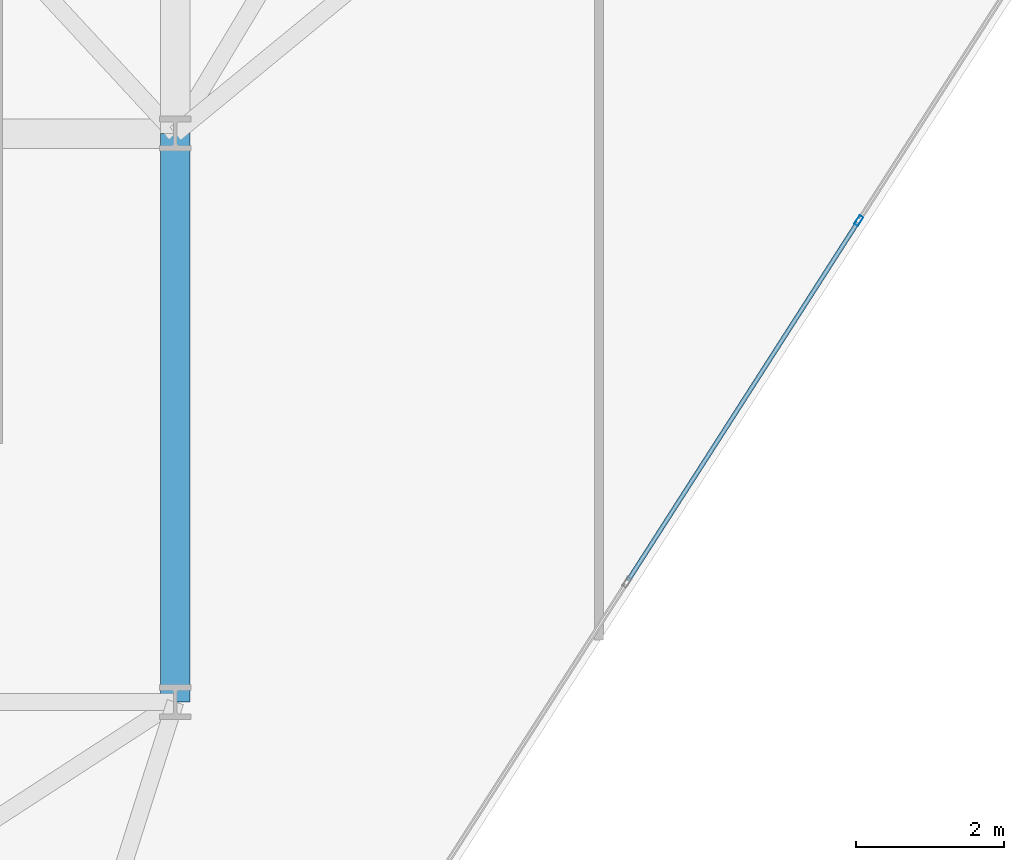
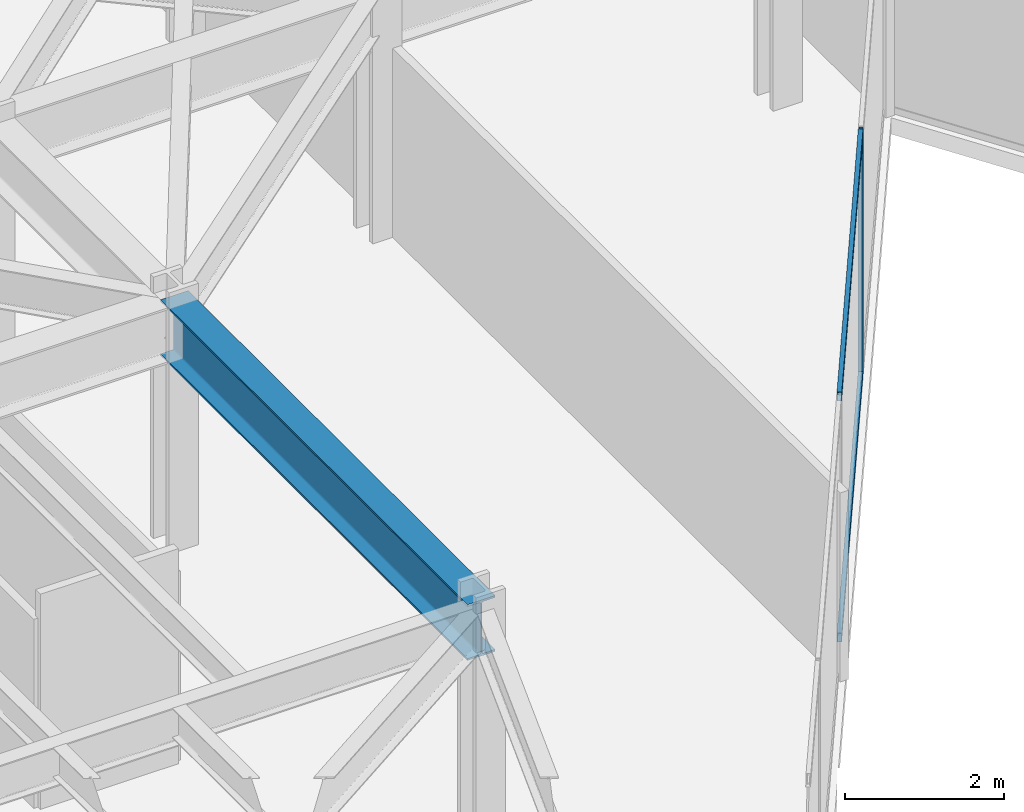
# One storey, part 8 of 26: 3 members, 1 beam, 1 element without a shape of its own.
"""IFC4 building model written with IfcOpenShell, lengths in metres."""

from ifc_helpers import new_model, si_unit, direction, frame, origin, origin_2d, place, context, subcontext, project, spatial, hollow_rectangle, i_section, extrude, material, layer, layer_set, material_profile, profile_set, type_object, element, aggregate, save


model = new_model("IFC4")

# Units and contexts
model_context = context("Model", 3, precision=1e-05, world=origin(), true_north=direction((0.0, 1.0)))
body_context = subcontext(model_context, "Body", "Model", "MODEL_VIEW")
ifc_project = project(units=[si_unit("LENGTHUNIT", "METRE"), si_unit("AREAUNIT", "SQUARE_METRE"), si_unit("VOLUMEUNIT", "CUBIC_METRE"), si_unit("PLANEANGLEUNIT", "RADIAN"), si_unit("MASSUNIT", "GRAM", prefix="KILO")], contexts=[model_context])

# Site, building, storey
site_placement = place(None, origin())
site = spatial("IfcSite", under=ifc_project, at=site_placement, CompositionType="ELEMENT")
building_placement = place(site_placement, origin())
building = spatial("IfcBuilding", under=site, at=building_placement, Name="Kravanh Interchange Tower", CompositionType="ELEMENT")
storey_placement = place(building_placement, frame((0.0, 0.0, 116.0)))
storey = spatial("IfcBuildingStorey", under=building, at=storey_placement, Name="L27", CompositionType="ELEMENT", Elevation=116.0)

# Curtain wall, members
ifc_material_1 = material(Name="Anodised Bronze Aluminium", Category="aluminium")
ifc_layer = layer(ifc_material_1, 0.179931640625)
ifc_layer_set = layer_set([ifc_layer], Name="Unitised Curtain Wall System CW-Z2 Mid Office")
curtain_wall_type = type_object("IfcCurtainWallType", Name="Unitised Curtain Wall System CW-Z2 Mid Office", PredefinedType="NOTDEFINED", material=ifc_layer_set)
curtain_wall_placement = place(storey_placement, origin())
curtain_wall = element("IfcCurtainWall", 1, at=curtain_wall_placement, inside=storey, type_object=curtain_wall_type, Name="L27 Unitised Curtain Wall CW-L27-05", PredefinedType="NOTDEFINED")
ifc_material_2 = material(Name="Anodised Bronze Aluminium", Category="aluminium")
ifc_material_profile_1 = material_profile(ifc_material_2, hollow_rectangle(XDim=0.06005859375, YDim=0.139892578125, WallThickness=0.00390625, at=origin_2d()), Name="ALU60X140X4")
ifc_profile_set_1 = profile_set([ifc_material_profile_1], Name="Anodised Bronze Aluminium")
member_type_1 = type_object("IfcMemberType", Name="Curtain Wall Mullion ALU60X140X4 Bronze", PredefinedType="MULLION", material=ifc_profile_set_1)
member_1_placement = place(storey_placement, frame((36.45849609375, 21.021728515625, 0.0), z_axis=(0.0, 0.0, 1.0), x_axis=(0.841879939476, -0.539664865919, 0.0)))
member_1 = element("IfcMember", 2, at=member_1_placement, type_object=member_type_1, Name="CW-Z2 mullion 2", PredefinedType="MULLION", context=body_context, shape_type="SweptSolid", body=[
    extrude(hollow_rectangle(XDim=0.06005859375, YDim=0.139892578125, WallThickness=0.00390625, at=origin_2d()), origin(), (0.0, 0.0, 1.0), 3.75),
])
ifc_material_3 = material(Name="Anodised Bronze Aluminium", Category="aluminium")
ifc_material_profile_2 = material_profile(ifc_material_3, hollow_rectangle(XDim=0.06005859375, YDim=0.139892578125, WallThickness=0.00390625, at=origin_2d()), Name="ALU60X140X4")
ifc_profile_set_2 = profile_set([ifc_material_profile_2], Name="Anodised Bronze Aluminium")
member_type_2 = type_object("IfcMemberType", Name="Curtain Wall Transom ALU60X140X4 Bronze", PredefinedType="USERDEFINED", material=ifc_profile_set_2)
member_2_placement = place(storey_placement, frame((36.4423828125, 20.99658203125, 0.030029296875), z_axis=(-0.539647630778, -0.841890987359, 0.0), x_axis=(0.841890987359, -0.539647630778, 0.0)))
member_2 = element("IfcMember", 3, at=member_2_placement, type_object=member_type_2, Name="CW-Z2 transom 2.1", ObjectType="TRANSOM", PredefinedType="USERDEFINED", context=body_context, shape_type="SweptSolid", body=[
    extrude(hollow_rectangle(XDim=0.06005859375, YDim=0.139892578125, WallThickness=0.00390625, at=origin_2d()), origin(), (0.0, 0.0, 1.0), 5.760986328125),
])
member_3_placement = place(storey_placement, frame((36.4423828125, 20.99658203125, 3.719970703125), z_axis=(-0.539647630778, -0.841890987359, 0.0), x_axis=(0.841890987359, -0.539647630778, 0.0)))
member_3 = element("IfcMember", 4, at=member_3_placement, type_object=member_type_2, Name="CW-Z2 transom 2.2", ObjectType="TRANSOM", PredefinedType="USERDEFINED", context=body_context, shape_type="SweptSolid", body=[
    extrude(hollow_rectangle(XDim=0.06005859375, YDim=0.139892578125, WallThickness=0.00390625, at=origin_2d()), origin(), (0.0, 0.0, 1.0), 5.760986328125),
])
aggregate(curtain_wall, [member_1, member_2, member_3])

# Beam
ifc_material_4 = material(Name="Structural Steel S355", Category="steel")
ifc_material_profile_3 = material_profile(ifc_material_4, i_section(OverallWidth=0.39990234375, OverallDepth=0.85595703125, WebThickness=0.018310546875, FlangeThickness=0.029296875, FilletRadius=0.02490234375, at=origin_2d()), Name="W33X201")
ifc_profile_set_3 = profile_set([ifc_material_profile_3], Name="Structural Steel S355")
beam_type = type_object("IfcBeamType", Name="Floor Beam W33X201 Structural Steel S355", PredefinedType="BEAM", material=ifc_profile_set_3)
beam_placement = place(storey_placement, frame((27.199951171875, 14.5, 3.322021484375), z_axis=(0.0, 1.0, 0.0), x_axis=(-1.0, 0.0, 0.0)))
element("IfcBeam", 5, at=beam_placement, inside=storey, type_object=beam_type, Name="L27 Primary Floor Girder 102", PredefinedType="BEAM", context=body_context, shape_type="SweptSolid", body=[
    extrude(i_section(OverallWidth=0.39990234375, OverallDepth=0.85595703125, WebThickness=0.018310546875, FlangeThickness=0.029296875, FilletRadius=0.02490234375, at=origin_2d()), origin(), (0.0, 0.0, 1.0), 7.699951171875),
])

save(model, "model.ifc")
